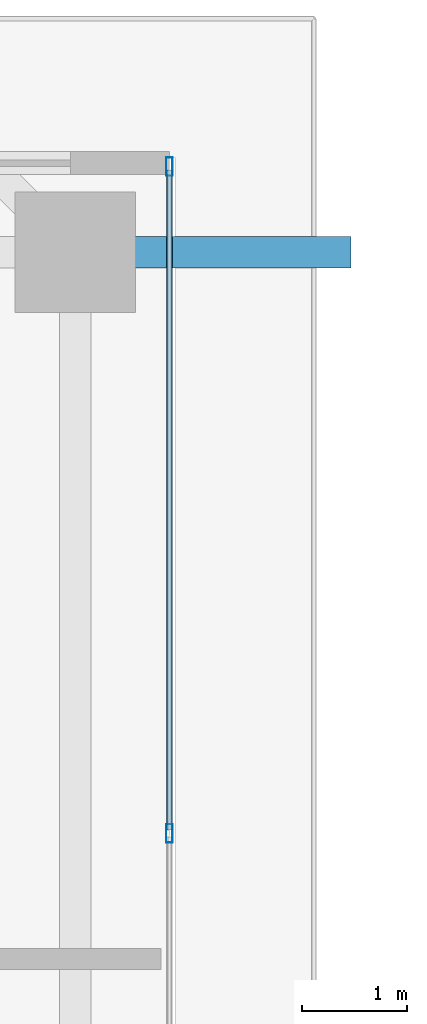
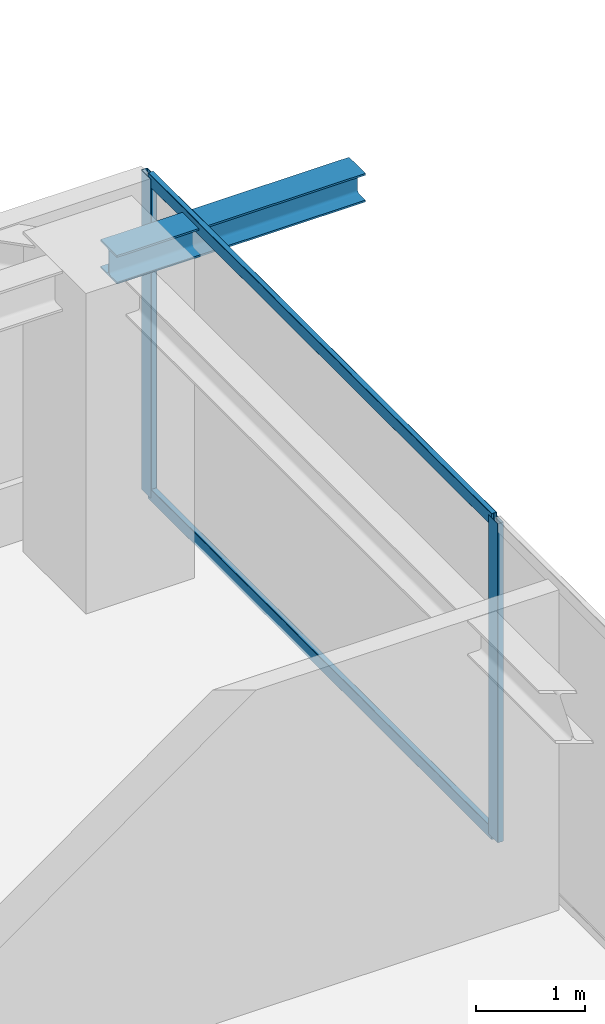
# One storey, part 21 of 38: 4 members, 1 beam, 1 element without a shape of its own.
"""IFC4 building model written with IfcOpenShell, lengths in metres."""

from ifc_helpers import new_model, si_unit, direction, frame, origin, origin_2d, place, context, subcontext, project, spatial, hollow_rectangle, i_section, extrude, source, transform, mapped, material, layer, layer_set, material_profile, profile_set, type_object, element, aggregate, save


model = new_model("IFC4")

# Units and contexts
model_context = context("Model", 3, precision=1e-05, world=origin(), true_north=direction((0.0, 1.0)))
body_context = subcontext(model_context, "Body", "Model", "MODEL_VIEW")
ifc_project = project(units=[si_unit("LENGTHUNIT", "METRE"), si_unit("AREAUNIT", "SQUARE_METRE"), si_unit("VOLUMEUNIT", "CUBIC_METRE"), si_unit("PLANEANGLEUNIT", "RADIAN"), si_unit("MASSUNIT", "GRAM", prefix="KILO")], contexts=[model_context])

# Site, building, storey
site_placement = place(None, origin())
site = spatial("IfcSite", under=ifc_project, at=site_placement, CompositionType="ELEMENT")
building_placement = place(site_placement, origin())
building = spatial("IfcBuilding", under=site, at=building_placement, Name="Serunith Strait Residences", CompositionType="ELEMENT")
storey_placement = place(building_placement, frame((0.0, 0.0, 241.25)))
storey = spatial("IfcBuildingStorey", under=building, at=storey_placement, Name="L60", CompositionType="ELEMENT", Elevation=241.25)

# Beam
ifc_material_1 = material(Name="Steel S355J2", Category="steel")
ifc_material_profile_1 = material_profile(ifc_material_1, i_section(OverallWidth=0.300048828125, OverallDepth=0.320068359375, WebThickness=0.011474609375, FlangeThickness=0.0205078125, FilletRadius=0.027099609375, at=origin_2d()), Name="HEB 320")
ifc_profile_set_1 = profile_set([ifc_material_profile_1], Name="Steel S355J2")
beam_type = type_object("IfcBeamType", Name="BM-HEB320", PredefinedType="BEAM", material=ifc_profile_set_1)
shared_shape_1 = source(origin(), body_context, "Body", "SweptSolid", [
    extrude(i_section(OverallWidth=0.300048828125, OverallDepth=0.320068359375, WebThickness=0.011474609375, FlangeThickness=0.0205078125, FilletRadius=0.027099609375, at=origin_2d()), origin(), (0.0, 0.0, 1.0), 2.63427734375),
])
beam_placement = place(storey_placement, frame((56.5, 40.35009765625, 3.39697265625), z_axis=(1.0, 0.0, 0.0), x_axis=(0.0, 1.0, 0.0)))
element("IfcBeam", 1, at=beam_placement, inside=storey, type_object=beam_type, Name="L61 Cantilevered Balcony Rib TC-E4", PredefinedType="BEAM", context=body_context, shape_type="MappedRepresentation", body=[
    mapped(shared_shape_1, transform((0.0, 0.0, 0.0), scale=1.0)),
])

# Curtain wall, members
ifc_material_2 = material(Name="Pale-Champagne Anodised Aluminium", Category="aluminium")
ifc_layer = layer(ifc_material_2, 0.199951171875, Name="Pale-Champagne Anodised Aluminium")
ifc_layer_set = layer_set([ifc_layer], Name="Pale-Champagne Anodised Aluminium")
curtain_wall_type = type_object("IfcCurtainWallType", Name="CW-SYS4", PredefinedType="NOTDEFINED", material=ifc_layer_set)
curtain_wall_placement = place(storey_placement, origin())
curtain_wall = element("IfcCurtainWall", 2, at=curtain_wall_placement, inside=storey, type_object=curtain_wall_type, Name="L60 E Unitised Fritted Curtain Wall", PredefinedType="NOTDEFINED")
ifc_material_profile_2 = material_profile(ifc_material_2, hollow_rectangle(XDim=0.06494140625, YDim=0.179931640625, WallThickness=0.00341796875, InnerFilletRadius=0.00537109375, OuterFilletRadius=0.0087890625, at=origin_2d()), Name="ALU 180x65x3.5")
ifc_profile_set_2 = profile_set([ifc_material_profile_2], Name="Pale-Champagne Anodised Aluminium")
member_type_1 = type_object("IfcMemberType", Name="CW-SYS4-MULL", PredefinedType="MULLION", material=ifc_profile_set_2)
shared_shape_2 = source(origin(), body_context, "Body", "SweptSolid", [
    extrude(hollow_rectangle(XDim=0.06494140625, YDim=0.179931640625, WallThickness=0.00341796875, InnerFilletRadius=0.00537109375, OuterFilletRadius=0.0087890625, at=origin_2d()), origin(), (0.0, 0.0, 1.0), 3.574951171875),
])
member_1_placement = place(storey_placement, frame((57.39990234375, 34.800048828125, 0.0), z_axis=(0.0, 0.0, 1.0), x_axis=(-1.0, 0.0, 0.0)))
member_1 = element("IfcMember", 3, at=member_1_placement, type_object=member_type_1, Name="CW-4 mullion 5", PredefinedType="MULLION", context=body_context, shape_type="MappedRepresentation", body=[
    mapped(shared_shape_2, transform((0.0, 0.0, 0.0), scale=1.0)),
])
member_2_placement = place(storey_placement, frame((57.39990234375, 41.16748046875, 0.0), z_axis=(0.0, 0.0, 1.0), x_axis=(-1.0, 0.0, 0.0)))
member_2 = element("IfcMember", 4, at=member_2_placement, type_object=member_type_1, Name="CW-4 mullion 6", PredefinedType="MULLION", context=body_context, shape_type="MappedRepresentation", body=[
    mapped(shared_shape_2, transform((0.0, 0.0, 0.0), scale=1.0)),
])
ifc_material_profile_3 = material_profile(ifc_material_2, hollow_rectangle(XDim=0.06005859375, YDim=0.139892578125, WallThickness=0.00341796875, InnerFilletRadius=0.00537109375, OuterFilletRadius=0.0087890625, at=origin_2d()), Name="ALU 140x60x3.5")
ifc_profile_set_3 = profile_set([ifc_material_profile_3], Name="Pale-Champagne Anodised Aluminium")
member_type_2 = type_object("IfcMemberType", Name="CW-SYS4-TRAN", PredefinedType="USERDEFINED", material=ifc_profile_set_3)
shared_shape_3 = source(origin(), body_context, "Body", "SweptSolid", [
    extrude(hollow_rectangle(XDim=0.06005859375, YDim=0.139892578125, WallThickness=0.00341796875, InnerFilletRadius=0.00537109375, OuterFilletRadius=0.0087890625, at=origin_2d()), origin(), (0.0, 0.0, 1.0), 6.302490234375),
])
member_3_placement = place(storey_placement, frame((57.39990234375, 34.83251953125, 0.030029296875), z_axis=(0.0, 1.0, 0.0), x_axis=(-1.0, 0.0, 0.0)))
member_3 = element("IfcMember", 5, at=member_3_placement, type_object=member_type_2, Name="CW-4 transom 5.1", ObjectType="TRANSOM", PredefinedType="USERDEFINED", context=body_context, shape_type="MappedRepresentation", body=[
    mapped(shared_shape_3, transform((0.0, 0.0, 0.0), scale=1.0)),
])
member_4_placement = place(storey_placement, frame((57.39990234375, 34.83251953125, 3.544921875), z_axis=(0.0, 1.0, 0.0), x_axis=(-1.0, 0.0, 0.0)))
member_4 = element("IfcMember", 6, at=member_4_placement, type_object=member_type_2, Name="CW-4 transom 5.2", ObjectType="TRANSOM", PredefinedType="USERDEFINED", context=body_context, shape_type="MappedRepresentation", body=[
    mapped(shared_shape_3, transform((0.0, 0.0, 0.0), scale=1.0)),
])
aggregate(curtain_wall, [member_1, member_2, member_3, member_4])

save(model, "model.ifc")
